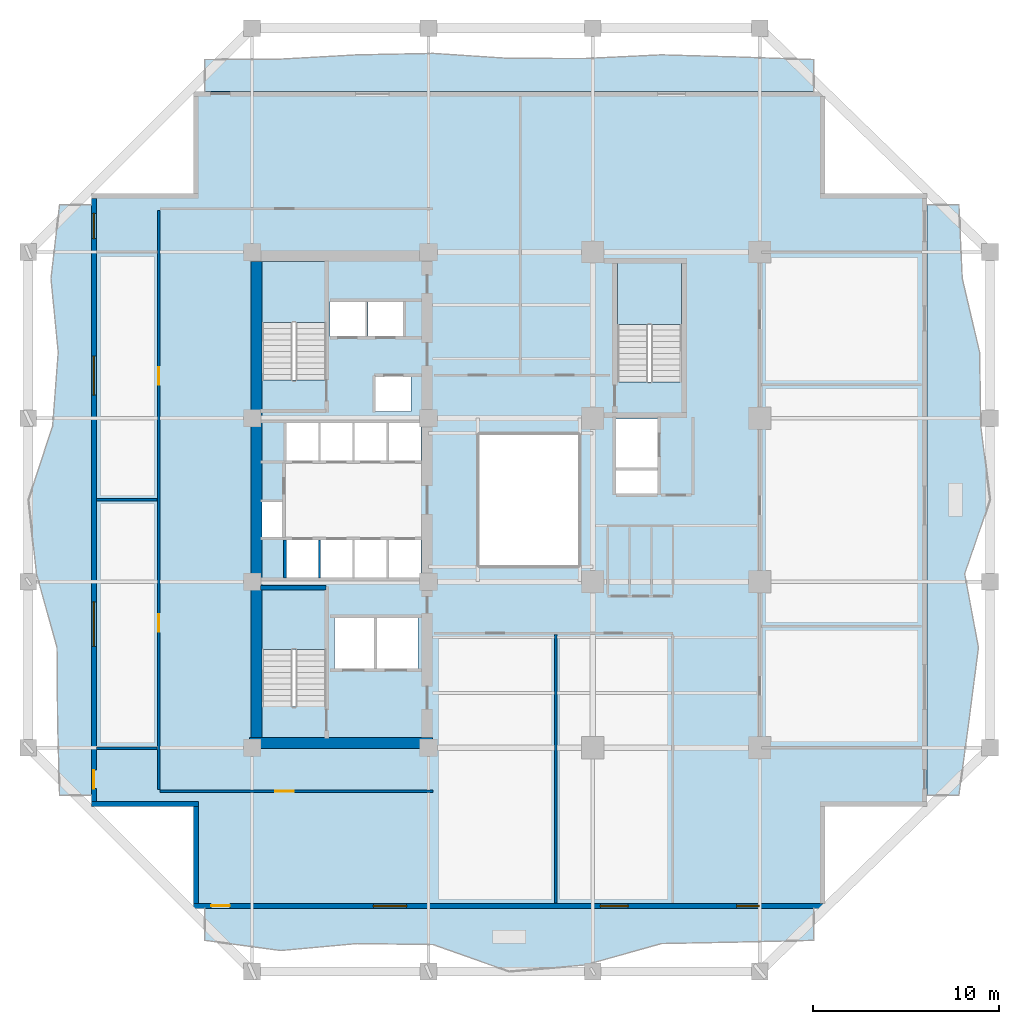
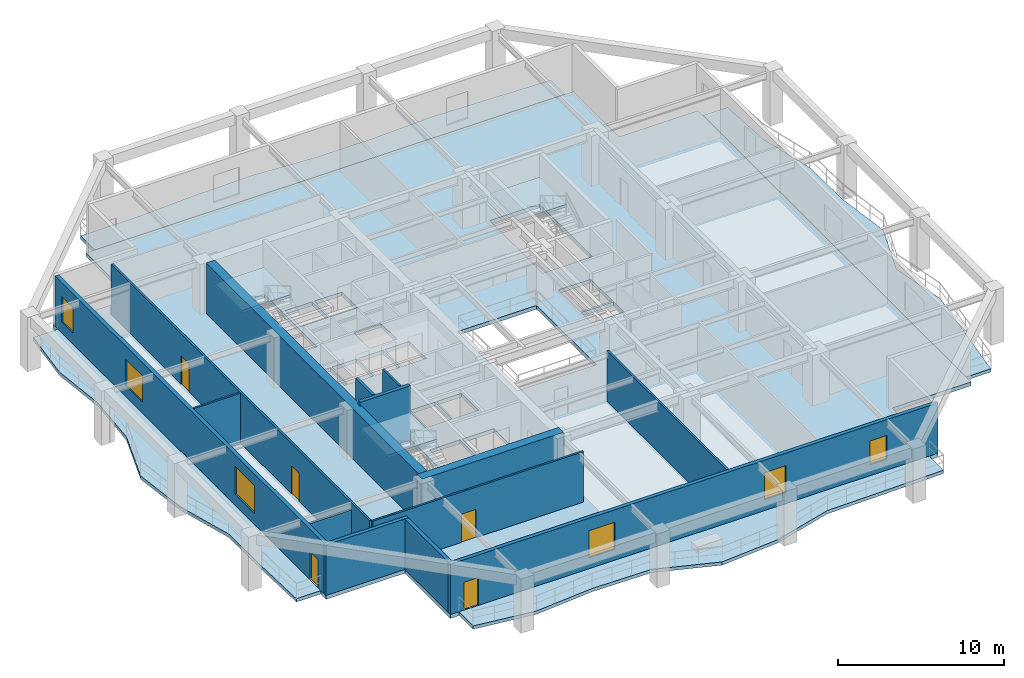
# One storey, part 2 of 12: 14 walls, 8 slabs, 6 windows, 5 doors, 11 openings, 3 elements without a shape of their own.
"""IFC4 building model written with IfcOpenShell, lengths in metres."""

import ifcopenshell
import ifcopenshell.guid

model = None  # the IFC model being written
_history = None  # IfcOwnerHistory: only IFC2X3 demands one
_inside = {}  # id of a spatial element -> (the spatial element, [elements in it])
_under = {}  # id of a project, library or spatial element -> (it, [spatial elements below it])
_declared = {}  # id of a project -> (the project, [libraries it declares])
_typed = {}  # id of a type object -> (the type object, [elements of that type])
_made_of = {}  # id of a material, layer set ... -> (it, [elements and type objects made of it])


def new_model(schema):
    """Start an empty IFC model of exactly this schema.

    Asked for "IFC4X3", IfcOpenShell would pick the latest addendum, in which some entities
    have other attributes; the version numbers below select the first issue.
    IFC2X3 requires an IfcOwnerHistory on every rooted entity: one is made here for all.
    """
    global model, _history
    if schema == "IFC4X3":
        model = ifcopenshell.file(schema_version=(4, 3, 0, 0))
    else:
        model = ifcopenshell.file(schema=schema)
    _inside.clear()
    _under.clear()
    _declared.clear()
    _typed.clear()
    _made_of.clear()
    _history = None
    if model.schema == "IFC2X3":
        org = make("IfcOrganization", Name="unknown")
        user = make(
            "IfcPersonAndOrganization",
            ThePerson=make("IfcPerson", FamilyName="unknown"),
            TheOrganization=org,
        )
        app = make(
            "IfcApplication",
            ApplicationDeveloper=org,
            Version="unknown",
            ApplicationFullName="unknown",
            ApplicationIdentifier="unknown",
        )
        _history = make(
            "IfcOwnerHistory",
            OwningUser=user,
            OwningApplication=app,
            ChangeAction="ADDED",
            CreationDate=0,
        )
    return model


def make(cls, **values):
    """One entity of the class cls with the attributes given. An attribute that is None is left unset."""
    return model.create_entity(
        cls, **{name: value for name, value in values.items() if value is not None}
    )


def rooted(cls, **values):
    """An entity with a GlobalId (a new one), such as an element, a storey or a relation."""
    return make(cls, GlobalId=ifcopenshell.guid.new(), OwnerHistory=_history, **values)


def si_unit(unit_type, name, prefix=None):
    """IfcSIUnit, for example si_unit("LENGTHUNIT", "METRE", prefix="MILLI")."""
    return make("IfcSIUnit", UnitType=unit_type, Prefix=prefix, Name=name)


def assignment(units):
    """IfcUnitAssignment: the units of a project."""
    return None if units is None else make("IfcUnitAssignment", Units=units)


def point(xyz):
    """IfcCartesianPoint."""
    return None if xyz is None else make("IfcCartesianPoint", Coordinates=xyz)


def direction(xyz):
    """IfcDirection."""
    return None if xyz is None else make("IfcDirection", DirectionRatios=xyz)


def frame(location, z_axis=None, x_axis=None):
    """IfcAxis2Placement3D, a coordinate frame: its origin and axes. An axis left out is left unset."""
    return make(
        "IfcAxis2Placement3D",
        Location=point(location),
        Axis=direction(z_axis),
        RefDirection=direction(x_axis),
    )


def frame_2d(location, x_axis=None):
    """IfcAxis2Placement2D, a coordinate frame in the plane: its origin and x axis."""
    return make(
        "IfcAxis2Placement2D", Location=point(location), RefDirection=direction(x_axis)
    )


def origin():
    """The frame at (0, 0, 0) with its axes left unset."""
    return frame((0.0, 0.0, 0.0))


def place(relative_to, where):
    """IfcLocalPlacement: puts the frame where relative to a parent placement (None: the world)."""
    return make(
        "IfcLocalPlacement", PlacementRelTo=relative_to, RelativePlacement=where
    )


def context(
    kind, dimensions, precision=None, world=None, true_north=None, identifier=None
):
    """IfcGeometricRepresentationContext, for example the 3D "Model" context."""
    return make(
        "IfcGeometricRepresentationContext",
        ContextIdentifier=identifier,
        ContextType=kind,
        CoordinateSpaceDimension=dimensions,
        Precision=precision,
        WorldCoordinateSystem=world,
        TrueNorth=true_north,
    )


def subcontext(parent, identifier, kind, view, scale=None):
    """IfcGeometricRepresentationSubContext, for example "Body" below "Model"."""
    return make(
        "IfcGeometricRepresentationSubContext",
        ContextIdentifier=identifier,
        ContextType=kind,
        ParentContext=parent,
        TargetScale=scale,
        TargetView=view,
    )


def project(units=None, contexts=None):
    """IfcProject with its units and contexts."""
    return rooted(
        "IfcProject",
        Name="project",
        RepresentationContexts=contexts,
        UnitsInContext=assignment(units),
    )


def spatial(cls, under=None, at=None, **own):
    """A site, building, storey or space (cls), placed at a placement, below another one or the project."""
    s = rooted(cls, ObjectPlacement=at, **own)
    if under is not None:
        _under.setdefault(under.id(), (under, []))[1].append(s)
    return s


def polyline(points):
    """IfcPolyline through the points."""
    return make("IfcPolyline", Points=[point(p) for p in points])


def profile(cls, at=None, kind="AREA", **sizes):
    """A parametric profile (cls). Its sizes go by their IFC names, for example OverallWidth=200.0."""
    return make(cls, ProfileType=kind, Position=at, **sizes)


def rectangle(**sizes):
    """IfcRectangleProfileDef."""
    return profile("IfcRectangleProfileDef", **sizes)


def outline(outer, holes=None, kind="AREA"):
    """IfcArbitraryClosedProfileDef: a profile drawn as a closed curve; with holes, ...WithVoids."""
    if holes is None:
        return make("IfcArbitraryClosedProfileDef", ProfileType=kind, OuterCurve=outer)
    return make(
        "IfcArbitraryProfileDefWithVoids",
        ProfileType=kind,
        OuterCurve=outer,
        InnerCurves=holes,
    )


def extrude(swept, where, along, depth):
    """IfcExtrudedAreaSolid: the profile swept, set in the frame where, extruded along a direction by depth."""
    return make(
        "IfcExtrudedAreaSolid",
        SweptArea=swept,
        Position=where,
        ExtrudedDirection=direction(along),
        Depth=depth,
    )


def shape(context_of_items, identifier, shape_type, items):
    """IfcShapeRepresentation: the items that make up one representation, for example the "Body"."""
    return make(
        "IfcShapeRepresentation",
        ContextOfItems=context_of_items,
        RepresentationIdentifier=identifier,
        RepresentationType=shape_type,
        Items=items,
    )


def material(Name=None, Category=None):
    """IfcMaterial."""
    return make("IfcMaterial", Name=Name, Category=Category)


def layer(
    of_material, thickness, ventilated=None, Name=None, Category=None, Priority=None
):
    """IfcMaterialLayer: one layer of a wall or slab, of a material (None: an air gap)."""
    return make(
        "IfcMaterialLayer",
        Material=of_material,
        LayerThickness=thickness,
        IsVentilated=ventilated,
        Name=Name,
        Category=Category,
        Priority=Priority,
    )


def layer_set(layers, Name=None):
    """IfcMaterialLayerSet."""
    return make("IfcMaterialLayerSet", MaterialLayers=layers, LayerSetName=Name)


def made_of(thing, what):
    """Note that an element or type object is made of a material, layer set ...; save() writes the relation."""
    if what is not None:
        _made_of.setdefault(what.id(), (what, []))[1].append(thing)
    return thing


def type_object(cls, material=None, **own):
    """A type object (cls), such as IfcWallType, which elements share."""
    return made_of(rooted(cls, **own), material)


def element(
    cls,
    number,
    at=None,
    inside=None,
    cuts=None,
    type_object=None,
    material=None,
    context=None,
    identifier="Body",
    shape_type=None,
    held_by="IfcProductDefinitionShape",
    body=None,
    shapes=None,
    **own,
):
    """One element of the class cls, such as IfcWall. Its Tag is "e" and its number.

    at: its placement. inside: the storey or other place that contains it. cuts: it is an
    opening in that element (IfcRelVoidsElement). A single representation is given by context,
    identifier, shape_type and body (its items); several are given by shapes. held_by: the class
    of the entity that holds the representations. save() writes the other relations.
    """
    e = rooted(cls, Tag="e%d" % number, ObjectPlacement=at, **own)
    if body is not None:
        shapes = [shape(context, identifier, shape_type, body)]
    if shapes is not None:
        e.Representation = make(held_by, Representations=shapes)
    if inside is not None:
        _inside.setdefault(inside.id(), (inside, []))[1].append(e)
    if cuts is not None:
        rooted(
            "IfcRelVoidsElement", RelatingBuildingElement=cuts, RelatedOpeningElement=e
        )
    if type_object is not None:
        _typed.setdefault(type_object.id(), (type_object, []))[1].append(e)
    return made_of(e, material)


def fill(opening, filler):
    """IfcRelFillsElement: the door or window that sits in an opening."""
    return rooted(
        "IfcRelFillsElement",
        RelatingOpeningElement=opening,
        RelatedBuildingElement=filler,
    )


def aggregate(whole, parts):
    """IfcRelAggregates: a whole, such as a stair, and the parts it consists of."""
    return rooted("IfcRelAggregates", RelatingObject=whole, RelatedObjects=parts)


def save(model, path):
    """Write the relations noted so far, then the file.

    IfcRelAggregates (storeys below a building ...), IfcRelContainedInSpatialStructure (elements
    in a storey), IfcRelDefinesByType, IfcRelAssociatesMaterial and IfcRelDeclares: one each for
    every whole, place, type object, material and project.
    """
    for whole, parts in _under.values():
        aggregate(whole, parts)
    for where, things in _inside.values():
        rooted(
            "IfcRelContainedInSpatialStructure",
            RelatedElements=things,
            RelatingStructure=where,
        )
    for kind, things in _typed.values():
        rooted("IfcRelDefinesByType", RelatedObjects=things, RelatingType=kind)
    for what, things in _made_of.values():
        rooted("IfcRelAssociatesMaterial", RelatedObjects=things, RelatingMaterial=what)
    for by, libraries in _declared.values():
        rooted("IfcRelDeclares", RelatingContext=by, RelatedDefinitions=libraries)
    model.write(path)


model = new_model("IFC4")

# Units and contexts
model_context = context("Model", 3, precision=1e-05, world=origin(), true_north=direction((0.0, 1.0)))
body_context = subcontext(model_context, "Body", "Model", "MODEL_VIEW")
ifc_project = project(units=[si_unit("LENGTHUNIT", "METRE"), si_unit("AREAUNIT", "SQUARE_METRE"), si_unit("VOLUMEUNIT", "CUBIC_METRE"), si_unit("PLANEANGLEUNIT", "RADIAN"), si_unit("MASSUNIT", "GRAM", prefix="KILO")], contexts=[model_context])

# Site, building, storey
site_placement = place(None, origin())
site = spatial("IfcSite", under=ifc_project, at=site_placement, CompositionType="ELEMENT")
building_placement = place(site_placement, origin())
building = spatial("IfcBuilding", under=site, at=building_placement, Name="Kundavana Baori Tower", CompositionType="ELEMENT")
storey_placement = place(building_placement, frame((0.0, 0.0, 42.0)))
storey = spatial("IfcBuildingStorey", under=building, at=storey_placement, Name="L09", CompositionType="ELEMENT", Elevation=42.0)

# Slab
ifc_material_1 = material(Name="Concrete C40/50", Category="concrete")
ifc_layer_1 = layer(ifc_material_1, 0.280029296875, Name="SLB-FLR-280")
ifc_layer_set_1 = layer_set([ifc_layer_1], Name="Concrete C40/50")
slab_type_1 = type_object("IfcSlabType", Name="SLB-FLR-280", PredefinedType="FLOOR", material=ifc_layer_set_1)
slab_1_placement = place(storey_placement, frame((0.0, 0.0, -0.280029296875)))
element("IfcSlab", 1, at=slab_1_placement, inside=storey, type_object=slab_type_1, Name="L09 Structural Floor Slab", PredefinedType="FLOOR", context=body_context, shape_type="SweptSolid", body=[
    extrude(outline(polyline([(12.300048828125, 6.60009765625), (46.300048828125, 6.60009765625), (46.300048828125, 12.10009765625), (51.800048828125, 12.10009765625), (51.800048828125, 45.10009765625), (46.300048828125, 45.10009765625), (46.300048828125, 50.60009765625), (12.300048828125, 50.60009765625), (12.300048828125, 45.10009765625), (6.800048828125, 45.10009765625), (6.800048828125, 12.10009765625), (12.300048828125, 12.10009765625), (12.300048828125, 6.60009765625)]), holes=[polyline([(19.43994140625, 17.4619140625), (19.43994140625, 23.85009765625), (15.97998046875, 23.85009765625), (15.97998046875, 17.4619140625), (19.43994140625, 17.4619140625)]), polyline([(19.43994140625, 35.06201171875), (19.43994140625, 41.449951171875), (15.97998046875, 41.449951171875), (15.97998046875, 35.06201171875), (19.43994140625, 35.06201171875)]), polyline([(38.580078125, 34.9619140625), (38.580078125, 41.35009765625), (35.1201171875, 41.35009765625), (35.1201171875, 34.9619140625), (38.580078125, 34.9619140625)]), polyline([(17.300048828125, 24.39990234375), (19.02001953125, 24.39990234375), (19.02001953125, 26.449951171875), (17.300048828125, 26.449951171875), (17.300048828125, 24.39990234375)]), polyline([(19.139892578125, 24.39990234375), (20.860107421875, 24.39990234375), (20.860107421875, 26.449951171875), (19.139892578125, 26.449951171875), (19.139892578125, 24.39990234375)]), polyline([(20.97998046875, 24.39990234375), (22.699951171875, 24.39990234375), (22.699951171875, 26.449951171875), (20.97998046875, 26.449951171875), (20.97998046875, 24.39990234375)]), polyline([(22.820068359375, 24.39990234375), (24.5400390625, 24.39990234375), (24.5400390625, 26.449951171875), (22.820068359375, 26.449951171875), (22.820068359375, 24.39990234375)]), polyline([(17.300048828125, 30.699951171875), (19.02001953125, 30.699951171875), (19.02001953125, 32.75), (17.300048828125, 32.75), (17.300048828125, 30.699951171875)]), polyline([(19.139892578125, 30.699951171875), (20.860107421875, 30.699951171875), (20.860107421875, 32.75), (19.139892578125, 32.75), (19.139892578125, 30.699951171875)]), polyline([(20.97998046875, 30.699951171875), (22.699951171875, 30.699951171875), (22.699951171875, 32.75), (20.97998046875, 32.75), (20.97998046875, 30.699951171875)]), polyline([(22.820068359375, 30.699951171875), (24.5400390625, 30.699951171875), (24.5400390625, 32.75), (22.820068359375, 32.75), (22.820068359375, 30.699951171875)]), polyline([(19.64990234375, 37.39990234375), (21.550048828125, 37.39990234375), (21.550048828125, 39.300048828125), (19.64990234375, 39.300048828125), (19.64990234375, 37.39990234375)]), polyline([(21.699951171875, 37.39990234375), (23.60009765625, 37.39990234375), (23.60009765625, 39.300048828125), (21.699951171875, 39.300048828125), (21.699951171875, 37.39990234375)]), polyline([(22.10009765625, 33.35009765625), (24.0, 33.35009765625), (24.0, 35.25), (22.10009765625, 35.25), (22.10009765625, 33.35009765625)]), polyline([(19.8798828125, 19.5), (22.02001953125, 19.5), (22.02001953125, 22.25), (19.8798828125, 22.25), (19.8798828125, 19.5)]), polyline([(22.179931640625, 19.5), (24.3798828125, 19.5), (24.3798828125, 22.25), (22.179931640625, 22.25), (22.179931640625, 19.5)]), polyline([(35.050048828125, 30.35009765625), (37.300048828125, 30.35009765625), (37.300048828125, 32.949951171875), (35.050048828125, 32.949951171875), (35.050048828125, 30.35009765625)]), polyline([(15.949951171875, 26.60009765625), (17.080078125, 26.60009765625), (17.080078125, 28.5), (15.949951171875, 28.5), (15.949951171875, 26.60009765625)]), polyline([(35.050048828125, 28.949951171875), (37.300048828125, 28.949951171875), (37.300048828125, 30.199951171875), (35.050048828125, 30.199951171875), (35.050048828125, 28.949951171875)]), polyline([(27.60009765625, 25.0), (33.10009765625, 25.0), (33.10009765625, 32.199951171875), (27.60009765625, 32.199951171875), (27.60009765625, 25.0)])]), origin(), (0.0, 0.0, 1.0), 0.280029296875),
])

# Stair, slab
ifc_material_2 = material(Name="Concrete C40/50", Category="concrete")
stair_type = type_object("IfcStairType", Name="STR-DOG-1650", PredefinedType="HALF_TURN_STAIR", material=ifc_material_2)
stair_1_placement = place(storey_placement, origin())
stair_1 = element("IfcStair", 2, at=stair_1_placement, inside=storey, type_object=stair_type, Name="L09 Protected Exit Stair ST1", PredefinedType="HALF_TURN_STAIR")
ifc_material_3 = material(Name="Concrete C40/50", Category="concrete")
ifc_layer_2 = layer(ifc_material_3, 0.199951171875, Name="SLB-LND-200")
ifc_layer_set_2 = layer_set([ifc_layer_2], Name="Concrete C40/50")
slab_type_2 = type_object("IfcSlabType", Name="SLB-LND-200", PredefinedType="LANDING", material=ifc_layer_set_2)
slab_2_placement = place(storey_placement, frame((0.0, 0.0, 1.800048828125)))
slab_2 = element("IfcSlab", 3, at=slab_2_placement, type_object=slab_type_2, Name="ST1 landing 1", PredefinedType="LANDING", context=body_context, shape_type="SweptSolid", body=[
    extrude(outline(polyline([(19.43994140625, 20.550048828125), (19.43994140625, 23.85009765625), (15.97998046875, 23.85009765625), (15.97998046875, 20.550048828125), (19.43994140625, 20.550048828125)])), origin(), (0.0, 0.0, 1.0), 0.199951171875),
])
aggregate(stair_1, [slab_2])

stair_2_placement = place(storey_placement, origin())
stair_2 = element("IfcStair", 4, at=stair_2_placement, inside=storey, type_object=stair_type, Name="L09 Protected Exit Stair ST2", PredefinedType="HALF_TURN_STAIR")
slab_3_placement = place(storey_placement, frame((0.0, 0.0, 1.800048828125)))
slab_3 = element("IfcSlab", 5, at=slab_3_placement, type_object=slab_type_2, Name="ST2 landing 1", PredefinedType="LANDING", context=body_context, shape_type="SweptSolid", body=[
    extrude(outline(polyline([(19.43994140625, 38.14990234375), (19.43994140625, 41.449951171875), (15.97998046875, 41.449951171875), (15.97998046875, 38.14990234375), (19.43994140625, 38.14990234375)])), origin(), (0.0, 0.0, 1.0), 0.199951171875),
])
aggregate(stair_2, [slab_3])

stair_3_placement = place(storey_placement, origin())
stair_3 = element("IfcStair", 6, at=stair_3_placement, inside=storey, type_object=stair_type, Name="L09 Protected Exit Stair ST3", PredefinedType="HALF_TURN_STAIR")
slab_4_placement = place(storey_placement, frame((0.0, 0.0, 1.800048828125)))
slab_4 = element("IfcSlab", 7, at=slab_4_placement, type_object=slab_type_2, Name="ST3 landing 1", PredefinedType="LANDING", context=body_context, shape_type="SweptSolid", body=[
    extrude(outline(polyline([(38.580078125, 38.050048828125), (38.580078125, 41.35009765625), (35.1201171875, 41.35009765625), (35.1201171875, 38.050048828125), (38.580078125, 38.050048828125)])), origin(), (0.0, 0.0, 1.0), 0.199951171875),
])
aggregate(stair_3, [slab_4])

# Slabs
ifc_material_4 = material(Name="Concrete C40/50", Category="concrete")
ifc_layer_3 = layer(ifc_material_4, 0.239990234375, Name="SLB-LOG-240")
ifc_layer_set_3 = layer_set([ifc_layer_3], Name="Concrete C40/50")
slab_type_3 = type_object("IfcSlabType", Name="SLB-LOG-240", PredefinedType="FLOOR", material=ifc_layer_set_3)
slab_5_placement = place(storey_placement, frame((0.0, 0.0, -0.239990234375)))
element("IfcSlab", 8, at=slab_5_placement, inside=storey, type_object=slab_type_3, Name="L09 Planted Loggia Balcony Slab S", PredefinedType="FLOOR", context=body_context, shape_type="SweptSolid", body=[
    extrude(outline(polyline([(12.89990234375, 6.60009765625), (45.699951171875, 6.60009765625), (45.699951171875, 4.8798828125), (41.60009765625, 4.785888671875), (37.5, 4.7060546875), (33.39990234375, 3.554931640625), (29.300048828125, 3.199951171875), (25.199951171875, 4.653076171875), (21.10009765625, 4.7060546875), (17.0, 4.3310546875), (12.89990234375, 4.8798828125), (12.89990234375, 6.60009765625)])), origin(), (0.0, 0.0, 1.0), 0.239990234375),
])
slab_6_placement = place(storey_placement, frame((0.0, 0.0, -0.239990234375)))
element("IfcSlab", 9, at=slab_6_placement, inside=storey, type_object=slab_type_3, Name="L09 Planted Loggia Balcony Slab E", PredefinedType="FLOOR", context=body_context, shape_type="SweptSolid", body=[
    extrude(outline(polyline([(51.800048828125, 12.699951171875), (51.800048828125, 44.5), (53.52001953125, 44.5), (53.701904296875, 40.52490234375), (54.635986328125, 36.550048828125), (54.698974609375, 32.574951171875), (55.199951171875, 28.60009765625), (53.83203125, 24.625), (54.572021484375, 20.64990234375), (54.05810546875, 16.675048828125), (53.52001953125, 12.699951171875), (51.800048828125, 12.699951171875)])), origin(), (0.0, 0.0, 1.0), 0.239990234375),
])
slab_7_placement = place(storey_placement, frame((0.0, 0.0, -0.239990234375)))
element("IfcSlab", 10, at=slab_7_placement, inside=storey, type_object=slab_type_3, Name="L09 Planted Loggia Balcony Slab N", PredefinedType="FLOOR", context=body_context, shape_type="SweptSolid", body=[
    extrude(outline(polyline([(45.699951171875, 50.60009765625), (12.89990234375, 50.60009765625), (12.89990234375, 52.320068359375), (17.0, 52.343994140625), (21.10009765625, 52.572998046875), (25.199951171875, 52.65087890625), (29.300048828125, 52.382080078125), (33.39990234375, 52.376953125), (37.5, 52.572998046875), (41.60009765625, 52.45703125), (45.699951171875, 52.320068359375), (45.699951171875, 50.60009765625)])), origin(), (0.0, 0.0, 1.0), 0.239990234375),
])
slab_8_placement = place(storey_placement, frame((0.0, 0.0, -0.239990234375)))
element("IfcSlab", 11, at=slab_8_placement, inside=storey, type_object=slab_type_3, Name="L09 Planted Loggia Balcony Slab W", PredefinedType="FLOOR", context=body_context, shape_type="SweptSolid", body=[
    extrude(outline(polyline([(6.800048828125, 44.5), (6.800048828125, 12.699951171875), (5.080078125, 12.699951171875), (4.97509765625, 16.675048828125), (4.944091796875, 20.64990234375), (3.839111328125, 24.625), (3.39990234375, 28.60009765625), (4.70703125, 32.574951171875), (5.008056640625, 36.550048828125), (4.618896484375, 40.52490234375), (5.080078125, 44.5), (6.800048828125, 44.5)])), origin(), (0.0, 0.0, 1.0), 0.239990234375),
])

# Walls
ifc_material_5 = material(Name="Concrete C50/60", Category="concrete")
ifc_layer_4 = layer(ifc_material_5, 0.39990234375, Name="WL-CORE-400")
ifc_layer_set_4 = layer_set([ifc_layer_4], Name="Concrete C50/60")
wall_type_1 = type_object("IfcWallType", Name="WL-CORE-400", PredefinedType="SHEAR", material=ifc_layer_set_4)
wall_1_placement = place(storey_placement, frame((15.89990234375, 23.860107421875, 0.0), z_axis=(0.0, 0.0, 1.0), x_axis=(1.0, 0.0, 0.0)))
element("IfcWall", 12, at=wall_1_placement, inside=storey, type_object=wall_type_1, Name="WL-L09-ST1-N", PredefinedType="SHEAR", context=body_context, shape_type="SweptSolid", body=[
    extrude(rectangle(XDim=3.52001953125, YDim=0.239990234375, at=frame_2d((1.760009765625, 0.0))), origin(), (0.0, 0.0, 1.0), 4.0),
])
ifc_material_6 = material(Name="Concrete C60/75", Category="concrete")
ifc_layer_5 = layer(ifc_material_6, 0.60009765625, Name="WL-CORE-600")
ifc_layer_set_5 = layer_set([ifc_layer_5], Name="Concrete C60/75")
wall_type_2 = type_object("IfcWallType", Name="WL-CORE-600", PredefinedType="SHEAR", material=ifc_layer_set_5)
wall_2_placement = place(storey_placement, frame((15.300048828125, 15.510009765625, 0.0), z_axis=(0.0, 0.0, 1.0), x_axis=(1.0, 0.0, 0.0)))
element("IfcWall", 13, at=wall_2_placement, inside=storey, type_object=wall_type_2, Name="L09 Offset Core South Shear Wall", PredefinedType="SHEAR", context=body_context, shape_type="SweptSolid", body=[
    extrude(rectangle(XDim=9.8798828125, YDim=0.60009765625, at=frame_2d((4.93994140625, 0.0))), origin(), (0.0, 0.0, 1.0), 3.719970703125),
])
wall_3_placement = place(storey_placement, frame((15.68994140625, 15.81005859375, 0.0), z_axis=(0.0, 0.0, 1.0), x_axis=(0.0, 1.0, 0.0)))
element("IfcWall", 14, at=wall_3_placement, inside=storey, type_object=wall_type_2, Name="L09 Offset Core West Shear Wall", PredefinedType="SHEAR", context=body_context, shape_type="SweptSolid", body=[
    extrude(rectangle(XDim=25.6298828125, YDim=0.60009765625, at=frame_2d((12.81494140625, 0.0))), origin(), (0.0, 0.0, 1.0), 3.719970703125),
])

# Wall, openings, door, windows
ifc_material_7 = material(Name="Kiln-Fired Terracotta Brick-Slip Masonry on Concrete C40/50", Category="masonry")
ifc_layer_6 = layer(ifc_material_7, 0.260009765625, Name="WL-EXT-BRK-260")
ifc_layer_set_6 = layer_set([ifc_layer_6], Name="Kiln-Fired Terracotta Brick-Slip Masonry on Concrete C40/50")
wall_type_3 = type_object("IfcWallType", Name="WL-EXT-BRK-260", PredefinedType="SOLIDWALL", material=ifc_layer_set_6)
wall_4_placement = place(storey_placement, frame((12.300048828125, 6.72998046875, 0.0), z_axis=(0.0, 0.0, 1.0), x_axis=(1.0, 0.0, 0.0)))
wall_4 = element("IfcWall", 15, at=wall_4_placement, inside=storey, type_object=wall_type_3, Name="L09 Exterior Insulated Facade Wall 01", PredefinedType="SOLIDWALL", context=body_context, shape_type="SweptSolid", body=[
    extrude(rectangle(XDim=34.0, YDim=0.260009765625, at=frame_2d((17.0, 0.0))), origin(), (0.0, 0.0, 1.0), 3.719970703125),
])
opening_1_placement = place(wall_4_placement, frame((0.949951171875, 0.0, 0.0)))
opening_1 = element("IfcOpeningElement", 16, at=opening_1_placement, cuts=wall_4, Name="Opening BD-1", PredefinedType="OPENING", context=body_context, shape_type="SweptSolid", body=[
    extrude(rectangle(XDim=1.0, YDim=2.050048828125, at=frame_2d((0.5, 1.02490234375))), frame((0.0, 0.14013671875, 0.0), z_axis=(0.0, -1.0, 0.0), x_axis=(1.0, 0.0, 0.0)), (0.0, 0.0, 1.0), 0.280029296875),
])
opening_2_placement = place(wall_4_placement, frame((9.679931640625, 0.0, 0.800048828125)))
opening_2 = element("IfcOpeningElement", 17, at=opening_2_placement, cuts=wall_4, Name="Opening W-01", PredefinedType="OPENING", context=body_context, shape_type="SweptSolid", body=[
    extrude(rectangle(XDim=1.800048828125, YDim=2.0, at=frame_2d((0.89990234375, 1.0))), frame((0.0, 0.14013671875, 0.0), z_axis=(0.0, -1.0, 0.0), x_axis=(1.0, 0.0, 0.0)), (0.0, 0.0, 1.0), 0.280029296875),
])
opening_3_placement = place(wall_4_placement, frame((21.909912109375, 0.0, 0.800048828125)))
opening_3 = element("IfcOpeningElement", 18, at=opening_3_placement, cuts=wall_4, Name="Opening W-02", PredefinedType="OPENING", context=body_context, shape_type="SweptSolid", body=[
    extrude(rectangle(XDim=1.5, YDim=2.0, at=frame_2d((0.75, 1.0))), frame((0.0, 0.14013671875, 0.0), z_axis=(0.0, -1.0, 0.0), x_axis=(1.0, 0.0, 0.0)), (0.0, 0.0, 1.0), 0.280029296875),
])
opening_4_placement = place(wall_4_placement, frame((29.2548828125, 0.0, 0.800048828125)))
opening_4 = element("IfcOpeningElement", 19, at=opening_4_placement, cuts=wall_4, Name="Opening W-03", PredefinedType="OPENING", context=body_context, shape_type="SweptSolid", body=[
    extrude(rectangle(XDim=1.199951171875, YDim=1.75, at=frame_2d((0.60009765625, 0.875))), frame((0.0, 0.14013671875, 0.0), z_axis=(0.0, -1.0, 0.0), x_axis=(1.0, 0.0, 0.0)), (0.0, 0.0, 1.0), 0.280029296875),
])
ifc_material_8 = material(Name="Architectural Patinated Bronze Metalwork")
door_type_1 = type_object("IfcDoorType", Name="DR-EXT-LOG-1000", OperationType="NOTDEFINED", PredefinedType="DOOR", material=ifc_material_8)
door_1_placement = place(opening_1_placement, frame((1.0, 0.0, 0.0), z_axis=(0.0, 0.0, 1.0), x_axis=(-1.0, 0.0, 0.0)))
door_1 = element("IfcDoor", 20, at=door_1_placement, inside=storey, type_object=door_type_1, Name="L09 Loggia Balcony Access Door S", OperationType="SINGLE_SWING_LEFT", OverallHeight=2.050048828125, OverallWidth=1.0, PredefinedType="DOOR", context=body_context, shape_type="SweptSolid", body=[
    extrude(rectangle(XDim=1.0, YDim=2.050048828125, at=frame_2d((0.5, 1.02490234375))), frame((0.0, 0.02490234375, 0.0), z_axis=(0.0, -1.0, 0.0), x_axis=(1.0, 0.0, 0.0)), (0.0, 0.0, 1.0), 0.050048828125),
])
fill(opening_1, door_1)
ifc_material_9 = material(Name="Double-Glazed Solar-Control Low-E Insulated Glass", Category="glass")
window_type_1 = type_object("IfcWindowType", Name="WIN-LOG-1200x1750", PartitioningType="SINGLE_PANEL", PredefinedType="WINDOW", material=ifc_material_9)
window_1_placement = place(opening_4_placement, origin())
window_1 = element("IfcWindow", 21, at=window_1_placement, inside=storey, type_object=window_type_1, Name="L09 Recessed Loggia Window S-3", OverallHeight=1.75, OverallWidth=1.199951171875, PartitioningType="SINGLE_PANEL", PredefinedType="WINDOW", context=body_context, shape_type="SweptSolid", body=[
    extrude(rectangle(XDim=1.199951171875, YDim=1.75, at=frame_2d((0.60009765625, 0.875))), frame((0.0, 0.030029296875, 0.0), z_axis=(0.0, -1.0, 0.0), x_axis=(1.0, 0.0, 0.0)), (0.0, 0.0, 1.0), 0.06005859375),
])
fill(opening_4, window_1)
ifc_material_10 = material(Name="Double-Glazed Solar-Control Low-E Insulated Glass", Category="glass")
window_type_2 = type_object("IfcWindowType", Name="WIN-LOG-1500x2000", PartitioningType="SINGLE_PANEL", PredefinedType="WINDOW", material=ifc_material_10)
window_2_placement = place(opening_3_placement, origin())
window_2 = element("IfcWindow", 22, at=window_2_placement, inside=storey, type_object=window_type_2, Name="L09 Recessed Loggia Window S-2", OverallHeight=2.0, OverallWidth=1.5, PartitioningType="SINGLE_PANEL", PredefinedType="WINDOW", context=body_context, shape_type="SweptSolid", body=[
    extrude(rectangle(XDim=1.5, YDim=2.0, at=frame_2d((0.75, 1.0))), frame((0.0, 0.030029296875, 0.0), z_axis=(0.0, -1.0, 0.0), x_axis=(1.0, 0.0, 0.0)), (0.0, 0.0, 1.0), 0.06005859375),
])
fill(opening_3, window_2)
ifc_material_11 = material(Name="Double-Glazed Solar-Control Low-E Insulated Glass", Category="glass")
window_type_3 = type_object("IfcWindowType", Name="WIN-LOG-1800x2000", PartitioningType="SINGLE_PANEL", PredefinedType="WINDOW", material=ifc_material_11)
window_3_placement = place(opening_2_placement, origin())
window_3 = element("IfcWindow", 23, at=window_3_placement, inside=storey, type_object=window_type_3, Name="L09 Recessed Loggia Window S-1", OverallHeight=2.0, OverallWidth=1.800048828125, PartitioningType="SINGLE_PANEL", PredefinedType="WINDOW", context=body_context, shape_type="SweptSolid", body=[
    extrude(rectangle(XDim=1.800048828125, YDim=2.0, at=frame_2d((0.89990234375, 1.0))), frame((0.0, 0.030029296875, 0.0), z_axis=(0.0, -1.0, 0.0), x_axis=(1.0, 0.0, 0.0)), (0.0, 0.0, 1.0), 0.06005859375),
])
fill(opening_2, window_3)

wall_5_placement = place(storey_placement, frame((6.929931640625, 44.840087890625, 0.0), z_axis=(0.0, 0.0, 1.0), x_axis=(0.0, -1.0, 0.0)))
wall_5 = element("IfcWall", 24, at=wall_5_placement, inside=storey, type_object=wall_type_3, Name="L09 Exterior Insulated Facade Wall 10", PredefinedType="SOLIDWALL", context=body_context, shape_type="SweptSolid", body=[
    extrude(rectangle(XDim=32.47998046875, YDim=0.260009765625, at=frame_2d((16.239990234375, 0.0))), origin(), (0.0, 0.0, 1.0), 3.719970703125),
])
opening_5_placement = place(wall_5_placement, frame((30.7900390625, 0.0, 0.0)))
opening_5 = element("IfcOpeningElement", 25, at=opening_5_placement, cuts=wall_5, Name="Opening BD-1", PredefinedType="OPENING", context=body_context, shape_type="SweptSolid", body=[
    extrude(rectangle(XDim=1.0, YDim=2.050048828125, at=frame_2d((0.5, 1.02490234375))), frame((0.0, 0.14013671875, 0.0), z_axis=(0.0, -1.0, 0.0), x_axis=(1.0, 0.0, 0.0)), (0.0, 0.0, 1.0), 0.280029296875),
])
opening_6_placement = place(wall_5_placement, frame((21.72998046875, 0.0, 0.800048828125)))
opening_6 = element("IfcOpeningElement", 26, at=opening_6_placement, cuts=wall_5, Name="Opening W-04", PredefinedType="OPENING", context=body_context, shape_type="SweptSolid", body=[
    extrude(rectangle(XDim=2.39990234375, YDim=2.050048828125, at=frame_2d((1.199951171875, 1.02490234375))), frame((0.0, 0.14013671875, 0.0), z_axis=(0.0, -1.0, 0.0), x_axis=(1.0, 0.0, 0.0)), (0.0, 0.0, 1.0), 0.280029296875),
])
opening_7_placement = place(wall_5_placement, frame((8.5, 0.0, 0.800048828125)))
opening_7 = element("IfcOpeningElement", 27, at=opening_7_placement, cuts=wall_5, Name="Opening W-05", PredefinedType="OPENING", context=body_context, shape_type="SweptSolid", body=[
    extrude(rectangle(XDim=2.10009765625, YDim=1.949951171875, at=frame_2d((1.050048828125, 0.97509765625))), frame((0.0, 0.14013671875, 0.0), z_axis=(0.0, -1.0, 0.0), x_axis=(1.0, 0.0, 0.0)), (0.0, 0.0, 1.0), 0.280029296875),
])
opening_8_placement = place(wall_5_placement, frame((0.81005859375, 0.0, 0.800048828125)))
opening_8 = element("IfcOpeningElement", 28, at=opening_8_placement, cuts=wall_5, Name="Opening W-07", PredefinedType="OPENING", context=body_context, shape_type="SweptSolid", body=[
    extrude(rectangle(XDim=1.35009765625, YDim=1.89990234375, at=frame_2d((0.675048828125, 0.949951171875))), frame((0.0, 0.14013671875, 0.0), z_axis=(0.0, -1.0, 0.0), x_axis=(1.0, 0.0, 0.0)), (0.0, 0.0, 1.0), 0.280029296875),
])
door_2_placement = place(opening_5_placement, frame((1.0, 0.0, 0.0), z_axis=(0.0, 0.0, 1.0), x_axis=(-1.0, 0.0, 0.0)))
door_2 = element("IfcDoor", 29, at=door_2_placement, inside=storey, type_object=door_type_1, Name="L09 Loggia Balcony Access Door W", OperationType="SINGLE_SWING_RIGHT", OverallHeight=2.050048828125, OverallWidth=1.0, PredefinedType="DOOR", context=body_context, shape_type="SweptSolid", body=[
    extrude(rectangle(XDim=1.0, YDim=2.050048828125, at=frame_2d((0.5, 1.02490234375))), frame((0.0, 0.02490234375, 0.0), z_axis=(0.0, -1.0, 0.0), x_axis=(1.0, 0.0, 0.0)), (0.0, 0.0, 1.0), 0.050048828125),
])
fill(opening_5, door_2)
ifc_material_12 = material(Name="Double-Glazed Solar-Control Low-E Insulated Glass", Category="glass")
window_type_4 = type_object("IfcWindowType", Name="WIN-LOG-1350x1900", PartitioningType="SINGLE_PANEL", PredefinedType="WINDOW", material=ifc_material_12)
window_4_placement = place(opening_8_placement, origin())
window_4 = element("IfcWindow", 30, at=window_4_placement, inside=storey, type_object=window_type_4, Name="L09 Recessed Loggia Window W-4", OverallHeight=1.89990234375, OverallWidth=1.35009765625, PartitioningType="SINGLE_PANEL", PredefinedType="WINDOW", context=body_context, shape_type="SweptSolid", body=[
    extrude(rectangle(XDim=1.35009765625, YDim=1.89990234375, at=frame_2d((0.675048828125, 0.949951171875))), frame((0.0, 0.030029296875, 0.0), z_axis=(0.0, -1.0, 0.0), x_axis=(1.0, 0.0, 0.0)), (0.0, 0.0, 1.0), 0.06005859375),
])
fill(opening_8, window_4)
ifc_material_13 = material(Name="Double-Glazed Solar-Control Low-E Insulated Glass", Category="glass")
window_type_5 = type_object("IfcWindowType", Name="WIN-LOG-2100x1950", PartitioningType="SINGLE_PANEL", PredefinedType="WINDOW", material=ifc_material_13)
window_5_placement = place(opening_7_placement, origin())
window_5 = element("IfcWindow", 31, at=window_5_placement, inside=storey, type_object=window_type_5, Name="L09 Recessed Loggia Window W-3", OverallHeight=1.949951171875, OverallWidth=2.10009765625, PartitioningType="SINGLE_PANEL", PredefinedType="WINDOW", context=body_context, shape_type="SweptSolid", body=[
    extrude(rectangle(XDim=2.10009765625, YDim=1.949951171875, at=frame_2d((1.050048828125, 0.97509765625))), frame((0.0, 0.030029296875, 0.0), z_axis=(0.0, -1.0, 0.0), x_axis=(1.0, 0.0, 0.0)), (0.0, 0.0, 1.0), 0.06005859375),
])
fill(opening_7, window_5)
ifc_material_14 = material(Name="Double-Glazed Solar-Control Low-E Insulated Glass", Category="glass")
window_type_6 = type_object("IfcWindowType", Name="WIN-LOG-2400x2050", PartitioningType="SINGLE_PANEL", PredefinedType="WINDOW", material=ifc_material_14)
window_6_placement = place(opening_6_placement, origin())
window_6 = element("IfcWindow", 32, at=window_6_placement, inside=storey, type_object=window_type_6, Name="L09 Recessed Loggia Window W-2", OverallHeight=2.050048828125, OverallWidth=2.39990234375, PartitioningType="SINGLE_PANEL", PredefinedType="WINDOW", context=body_context, shape_type="SweptSolid", body=[
    extrude(rectangle(XDim=2.39990234375, YDim=2.050048828125, at=frame_2d((1.199951171875, 1.02490234375))), frame((0.0, 0.030029296875, 0.0), z_axis=(0.0, -1.0, 0.0), x_axis=(1.0, 0.0, 0.0)), (0.0, 0.0, 1.0), 0.06005859375),
])
fill(opening_6, window_6)

# Walls
wall_6_placement = place(storey_placement, frame((6.800048828125, 12.22998046875, 0.0), z_axis=(0.0, 0.0, 1.0), x_axis=(1.0, 0.0, 0.0)))
element("IfcWall", 33, at=wall_6_placement, inside=storey, type_object=wall_type_3, Name="L09 Exterior Insulated Facade Wall 11", PredefinedType="SOLIDWALL", context=body_context, shape_type="SweptSolid", body=[
    extrude(rectangle(XDim=5.760009765625, YDim=0.260009765625, at=frame_2d((2.8798828125, 0.0))), origin(), (0.0, 0.0, 1.0), 3.719970703125),
])
wall_7_placement = place(storey_placement, frame((12.429931640625, 12.10009765625, 0.0), z_axis=(0.0, 0.0, 1.0), x_axis=(0.0, -1.0, 0.0)))
element("IfcWall", 34, at=wall_7_placement, inside=storey, type_object=wall_type_3, Name="L09 Exterior Insulated Facade Wall 12", PredefinedType="SOLIDWALL", context=body_context, shape_type="SweptSolid", body=[
    extrude(rectangle(XDim=5.239990234375, YDim=0.260009765625, at=frame_2d((2.6201171875, 0.0))), origin(), (0.0, 0.0, 1.0), 3.719970703125),
])
ifc_material_15 = material(Name="Acoustic Gypsum Plasterboard on Galvanised Steel Studs", Category="steel")
ifc_layer_7 = layer(ifc_material_15, 0.1201171875, Name="WL-PART-120")
ifc_layer_set_7 = layer_set([ifc_layer_7], Name="Acoustic Gypsum Plasterboard on Galvanised Steel Studs")
wall_type_4 = type_object("IfcWallType", Name="WL-PART-120", PredefinedType="PARTITIONING", material=ifc_layer_set_7)
wall_8_placement = place(storey_placement, frame((19.080078125, 24.39990234375, 0.0), z_axis=(0.0, 0.0, 1.0), x_axis=(0.0, 1.0, 0.0)))
element("IfcWall", 35, at=wall_8_placement, inside=storey, type_object=wall_type_4, Name="WL-L09-LPLOW-D1", PredefinedType="PARTITIONING", context=body_context, shape_type="SweptSolid", body=[
    extrude(rectangle(XDim=2.050048828125, YDim=0.1201171875, at=frame_2d((1.02490234375, 0.0))), origin(), (0.0, 0.0, 1.0), 3.719970703125),
])

# Wall, openings, doors
ifc_material_16 = material(Name="Acoustic Gypsum Plasterboard on Galvanised Steel Studs", Category="steel")
ifc_layer_8 = layer(ifc_material_16, 0.135009765625, Name="WL-PART-135")
ifc_layer_set_8 = layer_set([ifc_layer_8], Name="Acoustic Gypsum Plasterboard on Galvanised Steel Studs")
wall_type_5 = type_object("IfcWallType", Name="WL-PART-135", PredefinedType="PARTITIONING", material=ifc_layer_set_8)
wall_9_placement = place(storey_placement, frame((10.419921875, 13.0, 0.0), z_axis=(0.0, 0.0, 1.0), x_axis=(0.0, 1.0, 0.0)))
wall_9 = element("IfcWall", 36, at=wall_9_placement, inside=storey, type_object=wall_type_5, Name="WL-L09-OW", PredefinedType="PARTITIONING", context=body_context, shape_type="SweptSolid", body=[
    extrude(rectangle(XDim=31.199951171875, YDim=0.135009765625, at=frame_2d((15.60009765625, 0.0))), origin(), (0.0, 0.0, 1.0), 3.719970703125),
])
opening_9_placement = place(wall_9_placement, frame((8.5, 0.0, 0.0)))
opening_9 = element("IfcOpeningElement", 37, at=opening_9_placement, cuts=wall_9, Name="Opening ID-095", PredefinedType="OPENING", context=body_context, shape_type="SweptSolid", body=[
    extrude(rectangle(XDim=0.949951171875, YDim=2.080078125, at=frame_2d((0.47509765625, 1.0400390625))), frame((0.0, 0.07763671875, 0.0), z_axis=(0.0, -1.0, 0.0), x_axis=(1.0, 0.0, 0.0)), (0.0, 0.0, 1.0), 0.155029296875),
])
opening_10_placement = place(wall_9_placement, frame((21.800048828125, 0.0, 0.0)))
opening_10 = element("IfcOpeningElement", 38, at=opening_10_placement, cuts=wall_9, Name="Opening ID-095", PredefinedType="OPENING", context=body_context, shape_type="SweptSolid", body=[
    extrude(rectangle(XDim=0.949951171875, YDim=2.080078125, at=frame_2d((0.47509765625, 1.0400390625))), frame((0.0, 0.07763671875, 0.0), z_axis=(0.0, -1.0, 0.0), x_axis=(1.0, 0.0, 0.0)), (0.0, 0.0, 1.0), 0.155029296875),
])
ifc_material_17 = material(Name="Engineered Teak Solid-Core Timber Veneer", Category="wood")
door_type_2 = type_object("IfcDoorType", Name="DR-INT-950", OperationType="NOTDEFINED", PredefinedType="DOOR", material=ifc_material_17)
door_3_placement = place(opening_9_placement, frame((0.949951171875, 0.0, 0.0), z_axis=(0.0, 0.0, 1.0), x_axis=(-1.0, 0.0, 0.0)))
door_3 = element("IfcDoor", 39, at=door_3_placement, inside=storey, type_object=door_type_2, Name="DR-L09-OFW1", OperationType="SINGLE_SWING_LEFT", OverallHeight=2.080078125, OverallWidth=0.949951171875, PredefinedType="DOOR", context=body_context, shape_type="SweptSolid", body=[
    extrude(rectangle(XDim=0.949951171875, YDim=2.080078125, at=frame_2d((0.47509765625, 1.0400390625))), frame((0.0, 0.02490234375, 0.0), z_axis=(0.0, -1.0, 0.0), x_axis=(1.0, 0.0, 0.0)), (0.0, 0.0, 1.0), 0.050048828125),
])
fill(opening_9, door_3)
door_4_placement = place(opening_10_placement, frame((0.949951171875, 0.0, 0.0), z_axis=(0.0, 0.0, 1.0), x_axis=(-1.0, 0.0, 0.0)))
door_4 = element("IfcDoor", 40, at=door_4_placement, inside=storey, type_object=door_type_2, Name="DR-L09-OFW2", OperationType="SINGLE_SWING_RIGHT", OverallHeight=2.080078125, OverallWidth=0.949951171875, PredefinedType="DOOR", context=body_context, shape_type="SweptSolid", body=[
    extrude(rectangle(XDim=0.949951171875, YDim=2.080078125, at=frame_2d((0.47509765625, 1.0400390625))), frame((0.0, 0.02490234375, 0.0), z_axis=(0.0, -1.0, 0.0), x_axis=(1.0, 0.0, 0.0)), (0.0, 0.0, 1.0), 0.050048828125),
])
fill(opening_10, door_4)

# Wall
wall_10_placement = place(storey_placement, frame((7.080078125, 15.219970703125, 0.0), z_axis=(0.0, 0.0, 1.0), x_axis=(1.0, 0.0, 0.0)))
element("IfcWall", 41, at=wall_10_placement, inside=storey, type_object=wall_type_5, Name="WL-L09-OWS", PredefinedType="PARTITIONING", context=body_context, shape_type="SweptSolid", body=[
    extrude(rectangle(XDim=3.260009765625, YDim=0.135009765625, at=frame_2d((1.6298828125, 0.0))), origin(), (0.0, 0.0, 1.0), 3.219970703125),
])

# Wall, opening, door
wall_11_placement = place(storey_placement, frame((10.5, 12.919921875, 0.0), z_axis=(0.0, 0.0, 1.0), x_axis=(1.0, 0.0, 0.0)))
wall_11 = element("IfcWall", 42, at=wall_11_placement, inside=storey, type_object=wall_type_5, Name="WL-L09-OSC", PredefinedType="PARTITIONING", context=body_context, shape_type="SweptSolid", body=[
    extrude(rectangle(XDim=14.699951171875, YDim=0.135009765625, at=frame_2d((7.35009765625, 0.0))), origin(), (0.0, 0.0, 1.0), 3.719970703125),
])
opening_11_placement = place(wall_11_placement, frame((6.199951171875, 0.0, 0.0)))
opening_11 = element("IfcOpeningElement", 43, at=opening_11_placement, cuts=wall_11, Name="Opening ID-100", PredefinedType="OPENING", context=body_context, shape_type="SweptSolid", body=[
    extrude(rectangle(XDim=1.0, YDim=2.080078125, at=frame_2d((0.5, 1.0400390625))), frame((0.0, 0.07763671875, 0.0), z_axis=(0.0, -1.0, 0.0), x_axis=(1.0, 0.0, 0.0)), (0.0, 0.0, 1.0), 0.155029296875),
])
ifc_material_18 = material(Name="Engineered Teak Solid-Core Timber Veneer", Category="wood")
door_type_3 = type_object("IfcDoorType", Name="DR-INT-1000", OperationType="NOTDEFINED", PredefinedType="DOOR", material=ifc_material_18)
door_5_placement = place(opening_11_placement, frame((1.0, 0.0, 0.0), z_axis=(0.0, 0.0, 1.0), x_axis=(-1.0, 0.0, 0.0)))
door_5 = element("IfcDoor", 44, at=door_5_placement, inside=storey, type_object=door_type_3, Name="DR-L09-OSWC", OperationType="SINGLE_SWING_LEFT", OverallHeight=2.080078125, OverallWidth=1.0, PredefinedType="DOOR", context=body_context, shape_type="SweptSolid", body=[
    extrude(rectangle(XDim=1.0, YDim=2.080078125, at=frame_2d((0.5, 1.0400390625))), frame((0.0, 0.02490234375, 0.0), z_axis=(0.0, -1.0, 0.0), x_axis=(1.0, 0.0, 0.0)), (0.0, 0.0, 1.0), 0.050048828125),
])
fill(opening_11, door_5)

# Walls
wall_12_placement = place(storey_placement, frame((7.080078125, 28.60009765625, 0.0), z_axis=(0.0, 0.0, 1.0), x_axis=(1.0, 0.0, 0.0)))
element("IfcWall", 45, at=wall_12_placement, inside=storey, type_object=wall_type_5, Name="WL-L09-WD1", PredefinedType="PARTITIONING", context=body_context, shape_type="SweptSolid", body=[
    extrude(rectangle(XDim=3.260009765625, YDim=0.135009765625, at=frame_2d((1.6298828125, 0.0))), origin(), (0.0, 0.0, 1.0), 3.719970703125),
])
wall_13_placement = place(storey_placement, frame((31.800048828125, 6.8798828125, 0.0), z_axis=(0.0, 0.0, 1.0), x_axis=(0.0, 1.0, 0.0)))
element("IfcWall", 46, at=wall_13_placement, inside=storey, type_object=wall_type_5, Name="WL-L09-SD1", PredefinedType="PARTITIONING", context=body_context, shape_type="SweptSolid", body=[
    extrude(rectangle(XDim=14.460205078125, YDim=0.135009765625, at=frame_2d((7.22998046875, 0.0))), origin(), (0.0, 0.0, 1.0), 3.719970703125),
])
ifc_material_19 = material(Name="Autoclaved Aerated Concrete Blockwork Masonry", Category="masonry")
ifc_layer_9 = layer(ifc_material_19, 0.179931640625, Name="WL-SHAFT-180")
ifc_layer_set_9 = layer_set([ifc_layer_9], Name="Autoclaved Aerated Concrete Blockwork Masonry")
wall_type_6 = type_object("IfcWallType", Name="WL-SHAFT-180", PredefinedType="SOLIDWALL", material=ifc_layer_set_9)
wall_14_placement = place(storey_placement, frame((17.219970703125, 24.39990234375, 0.0), z_axis=(0.0, 0.0, 1.0), x_axis=(0.0, 1.0, 0.0)))
element("IfcWall", 47, at=wall_14_placement, inside=storey, type_object=wall_type_6, Name="WL-L09-LPLOW-W", PredefinedType="SOLIDWALL", context=body_context, shape_type="SweptSolid", body=[
    extrude(rectangle(XDim=2.050048828125, YDim=0.179931640625, at=frame_2d((1.02490234375, 0.0))), origin(), (0.0, 0.0, 1.0), 3.719970703125),
])

save(model, "model.ifc")
